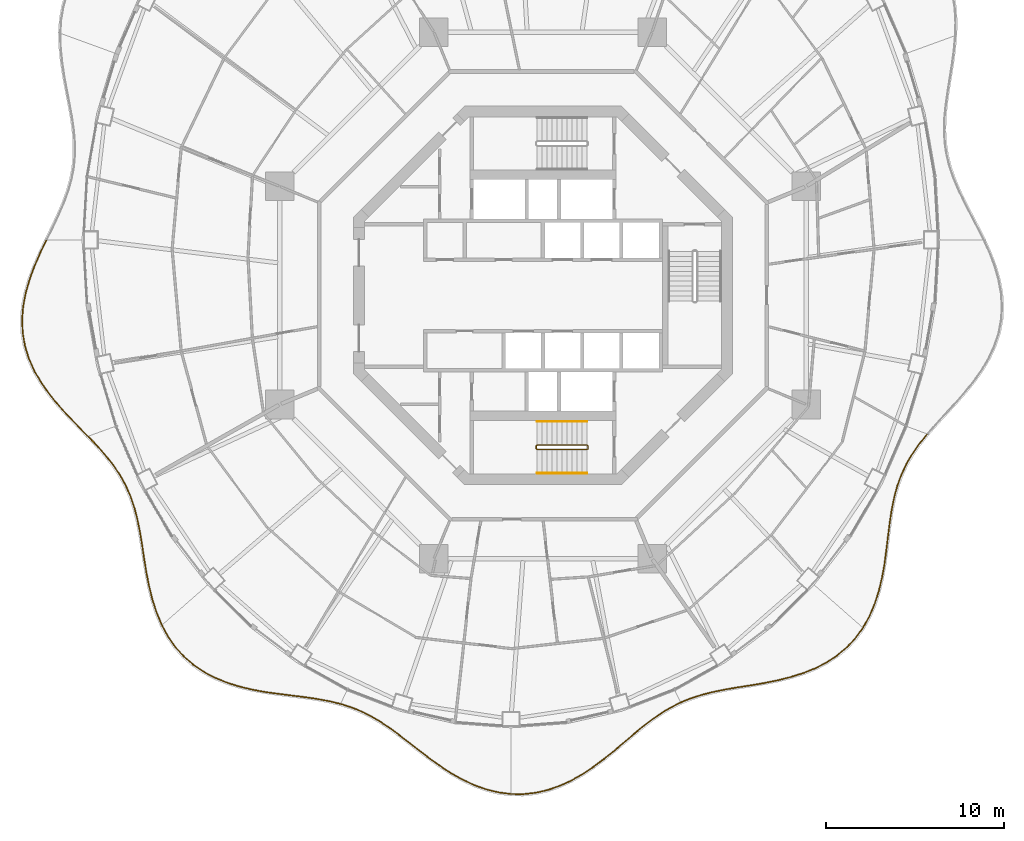
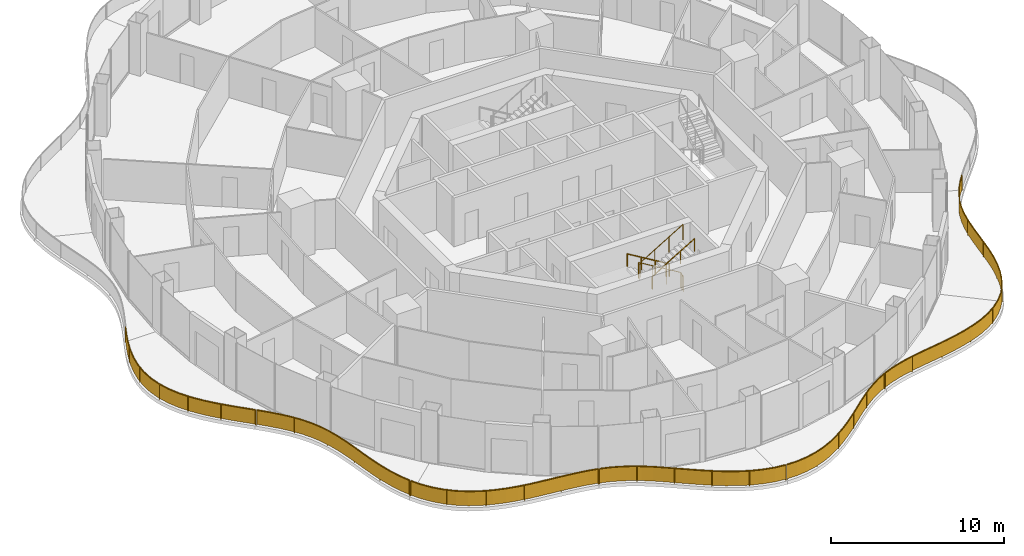
# One storey, part 16 of 18: 10 railings.
"""IFC4 building model written with IfcOpenShell, lengths in metres."""

from ifc_helpers import new_model, si_unit, direction, frame, origin, origin_2d, place, context, subcontext, project, spatial, polyline, rectangle, circle, outline, extrude, material, type_object, element, save


model = new_model("IFC4")

# Units and contexts
model_context = context("Model", 3, precision=1e-05, world=origin(), true_north=direction((0.0, 1.0)))
body_context = subcontext(model_context, "Body", "Model", "MODEL_VIEW")
ifc_project = project(units=[si_unit("LENGTHUNIT", "METRE"), si_unit("AREAUNIT", "SQUARE_METRE"), si_unit("VOLUMEUNIT", "CUBIC_METRE"), si_unit("PLANEANGLEUNIT", "RADIAN"), si_unit("MASSUNIT", "GRAM", prefix="KILO")], contexts=[model_context])

# Site, building, storey
site_placement = place(None, origin())
site = spatial("IfcSite", under=ifc_project, at=site_placement, CompositionType="ELEMENT")
building_placement = place(site_placement, origin())
building = spatial("IfcBuilding", under=site, at=building_placement, Name="Nagisa Residences", CompositionType="ELEMENT")
storey_placement = place(building_placement, frame((0.0, 0.0, 245.5)))
storey = spatial("IfcBuildingStorey", under=building, at=storey_placement, Name="L62", CompositionType="ELEMENT", Elevation=245.5)

# Railings
ifc_material_1 = material(Name="Stainless steel 316", Category="steel")
railing_type_1 = type_object("IfcRailingType", Name="BALCONY GUARD 1100", PredefinedType="BALUSTRADE", material=ifc_material_1)
railing_1_placement = place(storey_placement, frame((-27.882568359375, 3.08349609375, 0.0)))
element("IfcRailing", 1, at=railing_1_placement, inside=storey, type_object=railing_type_1, Name="guard:L62:bal08-0", PredefinedType="BALUSTRADE", context=body_context, shape_type="SweptSolid", body=[
    extrude(outline(polyline([(-0.3017578125, -0.690673828125), (0.022705078125, -0.0107421875), (-0.022705078125, 0.0107421875), (-0.34716796875, -0.669677734375), (-0.667236328125, -1.406494140625), (-0.946044921875, -2.156005859375), (-1.166748046875, -2.915283203125), (-1.313232421875, -3.679443359375), (-1.375732421875, -4.42919921875), (-1.343017578125, -5.185791015625), (-1.21337890625, -5.9296875), (-0.98828125, -6.654541015625), (-0.67333984375, -7.3564453125), (-0.2822265625, -8.018310546875), (0.17822265625, -8.66552734375), (0.687744140625, -9.285888671875), (1.229248046875, -9.881103515625), (1.783447265625, -10.456298828125), (2.302490234375, -10.98388671875), (2.338134765625, -10.94873046875), (1.819091796875, -10.421142578125), (1.265869140625, -9.846923828125), (0.725830078125, -9.253173828125), (0.2177734375, -8.63525390625), (-0.240234375, -7.990966796875), (-0.62890625, -7.33349609375), (-0.94140625, -6.636962890625), (-1.16455078125, -5.91796875), (-1.293212890625, -5.180419921875), (-1.325439453125, -4.43017578125), (-1.263427734375, -3.686279296875), (-1.117919921875, -2.927001953125), (-0.898681640625, -2.171630859375), (-0.620849609375, -1.425048828125), (-0.3017578125, -0.690673828125)])), frame((0.0, 0.0, 1.050048828125)), (0.0, 0.0, 1.0), 0.050048828125),
    extrude(outline(polyline([(-0.318115234375, -0.68310546875), (0.00634765625, -0.0029296875), (-0.00634765625, 0.0029296875), (-0.330810546875, -0.67724609375), (-0.650634765625, -1.4130859375), (-0.928955078125, -2.16162109375), (-1.149169921875, -2.91943359375), (-1.295166015625, -3.681884765625), (-1.357666015625, -4.429443359375), (-1.3251953125, -5.183837890625), (-1.19580078125, -5.925537109375), (-0.971435546875, -6.648193359375), (-0.657470703125, -7.34814453125), (-0.26708984375, -8.008544921875), (0.1923828125, -8.654541015625), (0.701416015625, -9.274169921875), (1.242431640625, -9.868896484375), (1.796142578125, -10.443603515625), (2.3154296875, -10.97119140625), (2.3251953125, -10.96142578125), (1.806396484375, -10.433837890625), (1.252685546875, -9.859130859375), (0.712158203125, -9.264892578125), (0.20361328125, -8.646240234375), (-0.25537109375, -8.000732421875), (-0.644775390625, -7.341796875), (-0.958251953125, -6.643310546875), (-1.18212890625, -5.922119140625), (-1.31103515625, -5.182373046875), (-1.343505859375, -4.429931640625), (-1.281494140625, -3.683837890625), (-1.135498046875, -2.9228515625), (-0.915771484375, -2.166015625), (-0.637451171875, -1.41845703125), (-0.318115234375, -0.68310546875)])), frame((0.0, 0.0, 0.06005859375)), (0.0, 0.0, 1.0), 0.989990234375),
    extrude(rectangle(XDim=0.0400390625, YDim=0.0400390625, at=origin_2d()), origin(), (0.0, 0.0, 1.0), 1.050048828125),
    extrude(rectangle(XDim=0.0400390625, YDim=0.0400390625, at=origin_2d()), frame((-0.822021484375, -1.894287109375, 0.0)), (0.0, 0.0, 1.0), 1.050048828125),
    extrude(rectangle(XDim=0.0400390625, YDim=0.0400390625, at=origin_2d()), frame((-1.30615234375, -3.896728515625, 0.0)), (0.0, 0.0, 1.0), 1.050048828125),
    extrude(rectangle(XDim=0.0400390625, YDim=0.0400390625, at=origin_2d()), frame((-1.181396484375, -5.947998046875, 0.0)), (0.0, 0.0, 1.0), 1.050048828125),
    extrude(rectangle(XDim=0.0400390625, YDim=0.0400390625, at=origin_2d()), frame((-0.361328125, -7.835205078125, 0.0)), (0.0, 0.0, 1.0), 1.050048828125),
    extrude(rectangle(XDim=0.0400390625, YDim=0.0400390625, at=origin_2d()), frame((0.89208984375, -9.473388671875, 0.0)), (0.0, 0.0, 1.0), 1.050048828125),
    extrude(rectangle(XDim=0.0400390625, YDim=0.0400390625, at=origin_2d()), frame((2.3203125, -10.96630859375, 0.0)), (0.0, 0.0, 1.0), 1.050048828125),
])
railing_2_placement = place(storey_placement, frame((-25.508544921875, -7.935546875, 0.0)))
element("IfcRailing", 2, at=railing_2_placement, inside=storey, type_object=railing_type_1, Name="guard:L62:bal09-0", PredefinedType="BALUSTRADE", context=body_context, shape_type="SweptSolid", body=[
    extrude(outline(polyline([(0.49951171875, -0.48681640625), (0.01806640625, 0.017333984375), (-0.01806640625, -0.017333984375), (0.462890625, -0.5205078125), (0.93798828125, -1.057373046875), (1.36865234375, -1.6025390625), (1.747314453125, -2.1630859375), (2.0703125, -2.74560546875), (2.332275390625, -3.34228515625), (2.55029296875, -3.98291015625), (2.724853515625, -4.656005859375), (2.866943359375, -5.3603515625), (2.9892578125, -6.09228515625), (3.09716796875, -6.83349609375), (3.22314453125, -7.60107421875), (3.37353515625, -8.3720703125), (3.56201171875, -9.13525390625), (3.80126953125, -9.87890625), (4.080322265625, -10.547119140625), (4.126708984375, -10.527587890625), (3.84814453125, -9.861328125), (3.6103515625, -9.12158203125), (3.42236328125, -8.361328125), (3.2724609375, -7.59228515625), (3.146484375, -6.82568359375), (3.03857421875, -6.08447265625), (2.916259765625, -5.35107421875), (2.773681640625, -4.644775390625), (2.59814453125, -3.96875), (2.379150390625, -3.32421875), (2.115234375, -2.72314453125), (1.789794921875, -2.13671875), (1.4091796875, -1.57275390625), (0.9765625, -1.025146484375), (0.49951171875, -0.48681640625)])), frame((0.0, 0.0, 1.050048828125)), (0.0, 0.0, 1.0), 0.050048828125),
    extrude(outline(polyline([(0.486328125, -0.4990234375), (0.005126953125, 0.0048828125), (-0.005126953125, -0.0048828125), (0.47607421875, -0.50830078125), (0.951904296875, -1.045654296875), (1.38330078125, -1.591796875), (1.7626953125, -2.153564453125), (2.08642578125, -2.737548828125), (2.34912109375, -3.335693359375), (2.567626953125, -3.977783203125), (2.742431640625, -4.65185546875), (2.884765625, -5.35693359375), (3.007080078125, -6.08935546875), (3.114990234375, -6.83056640625), (3.240966796875, -7.597900390625), (3.39111328125, -8.3681640625), (3.579345703125, -9.13037109375), (3.818115234375, -9.87255859375), (4.09716796875, -10.5400390625), (4.10986328125, -10.53466796875), (3.831298828125, -9.86767578125), (3.593017578125, -9.12646484375), (3.40478515625, -8.365234375), (3.254638671875, -7.595458984375), (3.128662109375, -6.82861328125), (3.020751953125, -6.08740234375), (2.8984375, -5.3544921875), (2.756103515625, -4.64892578125), (2.580810546875, -3.973876953125), (2.3623046875, -3.330810546875), (2.09912109375, -2.731201171875), (1.7744140625, -2.146240234375), (1.39453125, -1.58349609375), (0.962646484375, -1.036865234375), (0.486328125, -0.4990234375)])), frame((0.0, 0.0, 0.06005859375)), (0.0, 0.0, 1.0), 0.989990234375),
    extrude(rectangle(XDim=0.0400390625, YDim=0.0400390625, at=origin_2d()), origin(), (0.0, 0.0, 1.0), 1.050048828125),
    extrude(rectangle(XDim=0.0400390625, YDim=0.0400390625, at=origin_2d()), frame((1.5, -1.752197265625, 0.0)), (0.0, 0.0, 1.0), 1.050048828125),
    extrude(rectangle(XDim=0.0400390625, YDim=0.0400390625, at=origin_2d()), frame((2.51904296875, -3.8134765625, 0.0)), (0.0, 0.0, 1.0), 1.050048828125),
    extrude(rectangle(XDim=0.0400390625, YDim=0.0400390625, at=origin_2d()), frame((3.010498046875, -6.0673828125, 0.0)), (0.0, 0.0, 1.0), 1.050048828125),
    extrude(rectangle(XDim=0.0400390625, YDim=0.0400390625, at=origin_2d()), frame((3.3935546875, -8.344482421875, 0.0)), (0.0, 0.0, 1.0), 1.050048828125),
    extrude(rectangle(XDim=0.0400390625, YDim=0.0400390625, at=origin_2d()), frame((4.103515625, -10.537353515625, 0.0)), (0.0, 0.0, 1.0), 1.050048828125),
])
railing_3_placement = place(storey_placement, frame((-21.3720703125, -18.542724609375, 0.0)))
element("IfcRailing", 3, at=railing_3_placement, inside=storey, type_object=railing_type_1, Name="guard:L62:bal10-0", PredefinedType="BALUSTRADE", context=body_context, shape_type="SweptSolid", body=[
    extrude(outline(polyline([(0.34423828125, -0.582275390625), (0.02197265625, 0.011962890625), (-0.02197265625, -0.011962890625), (0.3017578125, -0.608642578125), (0.713623046875, -1.197265625), (1.18994140625, -1.72998046875), (1.72802734375, -2.200927734375), (2.322998046875, -2.607666015625), (2.955810546875, -2.93896484375), (3.640625, -3.218994140625), (4.3564453125, -3.44189453125), (5.091552734375, -3.615966796875), (5.8359375, -3.750732421875), (6.5654296875, -3.848876953125), (7.29833984375, -3.941162109375), (8.013916015625, -4.03125), (8.706787109375, -4.132080078125), (9.373779296875, -4.25537109375), (9.97216796875, -4.40087890625), (9.98388671875, -4.35205078125), (9.384033203125, -4.20654296875), (8.715087890625, -4.082763671875), (8.020751953125, -3.9814453125), (7.3046875, -3.891357421875), (6.57177734375, -3.799072265625), (5.84375, -3.701416015625), (5.101806640625, -3.567138671875), (4.36962890625, -3.3935546875), (3.65771484375, -3.171630859375), (2.976806640625, -2.8935546875), (2.348876953125, -2.564697265625), (1.7587890625, -2.161376953125), (1.22509765625, -1.6943359375), (0.752685546875, -1.166015625), (0.34423828125, -0.582275390625)])), frame((0.0, 0.0, 1.050048828125)), (0.0, 0.0, 1.0), 0.050048828125),
    extrude(outline(polyline([(0.328857421875, -0.591796875), (0.006103515625, 0.00341796875), (-0.006103515625, -0.00341796875), (0.317138671875, -0.59912109375), (0.7275390625, -1.18603515625), (1.20263671875, -1.717041015625), (1.739013671875, -2.186767578125), (2.332275390625, -2.59228515625), (2.96337890625, -2.922607421875), (3.646728515625, -3.201904296875), (4.361083984375, -3.424560546875), (5.09521484375, -3.598388671875), (5.8388671875, -3.73291015625), (6.567626953125, -3.830810546875), (7.300537109375, -3.923095703125), (8.016357421875, -4.01318359375), (8.709716796875, -4.1142578125), (9.37744140625, -4.23779296875), (9.976318359375, -4.38330078125), (9.979736328125, -4.36962890625), (9.38037109375, -4.22412109375), (8.712158203125, -4.1005859375), (8.018310546875, -3.99951171875), (7.302490234375, -3.909423828125), (6.569580078125, -3.817138671875), (5.8408203125, -3.71923828125), (5.09814453125, -3.584716796875), (4.364990234375, -3.410888671875), (3.651611328125, -3.188720703125), (2.96923828125, -2.909912109375), (2.339599609375, -2.580078125), (1.747802734375, -2.175537109375), (1.21240234375, -1.707275390625), (0.73876953125, -1.17724609375), (0.328857421875, -0.591796875)])), frame((0.0, 0.0, 0.06005859375)), (0.0, 0.0, 1.0), 0.989990234375),
    extrude(rectangle(XDim=0.0400390625, YDim=0.0400390625, at=origin_2d()), origin(), (0.0, 0.0, 1.0), 1.050048828125),
    extrude(rectangle(XDim=0.0400390625, YDim=0.0400390625, at=origin_2d()), frame((1.344482421875, -1.83203125, 0.0)), (0.0, 0.0, 1.0), 1.050048828125),
    extrude(rectangle(XDim=0.0400390625, YDim=0.0400390625, at=origin_2d()), frame((3.26904296875, -3.0400390625, 0.0)), (0.0, 0.0, 1.0), 1.050048828125),
    extrude(rectangle(XDim=0.0400390625, YDim=0.0400390625, at=origin_2d()), frame((5.465087890625, -3.658203125, 0.0)), (0.0, 0.0, 1.0), 1.050048828125),
    extrude(rectangle(XDim=0.0400390625, YDim=0.0400390625, at=origin_2d()), frame((7.729736328125, -3.97021484375, 0.0)), (0.0, 0.0, 1.0), 1.050048828125),
    extrude(rectangle(XDim=0.0400390625, YDim=0.0400390625, at=origin_2d()), frame((9.97802734375, -4.37646484375, 0.0)), (0.0, 0.0, 1.0), 1.050048828125),
])
railing_4_placement = place(storey_placement, frame((-11.326171875, -22.9365234375, 0.0)))
element("IfcRailing", 4, at=railing_4_placement, inside=storey, type_object=railing_type_1, Name="guard:L62:bal11-0", PredefinedType="BALUSTRADE", context=body_context, shape_type="SweptSolid", body=[
    extrude(outline(polyline([(0.56103515625, -0.152587890625), (0.007568359375, 0.02392578125), (-0.007568359375, -0.02392578125), (0.5439453125, -0.199462890625), (1.114990234375, -0.43115234375), (1.669189453125, -0.70751953125), (2.212158203125, -1.02783203125), (2.75, -1.388916015625), (3.272216796875, -1.779541015625), (3.818359375, -2.20068359375), (4.377197265625, -2.636474609375), (4.953369140625, -3.074462890625), (5.5498046875, -3.50048828125), (6.151611328125, -3.8984375), (6.792236328125, -4.259033203125), (7.454833984375, -4.5673828125), (8.13525390625, -4.811279296875), (8.829833984375, -4.982177734375), (9.484619140625, -5.067138671875), (9.490966796875, -5.017333984375), (8.839111328125, -4.932861328125), (8.14990234375, -4.763427734375), (7.473876953125, -4.52099609375), (6.815185546875, -4.214599609375), (6.177490234375, -3.85546875), (5.578125, -3.45947265625), (4.983154296875, -3.033935546875), (4.407958984375, -2.596923828125), (3.84912109375, -2.1611328125), (3.302490234375, -1.739501953125), (2.77880859375, -1.347900390625), (2.239013671875, -0.9853515625), (1.693115234375, -0.66357421875), (1.135498046875, -0.3857421875), (0.56103515625, -0.152587890625)])), frame((0.0, 0.0, 1.050048828125)), (0.0, 0.0, 1.0), 0.050048828125),
    extrude(outline(polyline([(0.554931640625, -0.16943359375), (0.002197265625, 0.006591796875), (-0.002197265625, -0.006591796875), (0.550048828125, -0.1826171875), (1.122314453125, -0.414794921875), (1.677734375, -0.691650390625), (2.221923828125, -1.012451171875), (2.76025390625, -1.3740234375), (3.283203125, -1.76513671875), (3.829345703125, -2.1865234375), (4.388427734375, -2.622314453125), (4.964111328125, -3.059814453125), (5.56005859375, -3.48583984375), (6.160888671875, -3.8828125), (6.800537109375, -4.2431640625), (7.461669921875, -4.55078125), (8.140625, -4.7939453125), (8.833251953125, -4.96435546875), (9.48681640625, -5.049072265625), (9.48876953125, -5.035400390625), (8.835693359375, -4.95068359375), (8.14453125, -4.78076171875), (7.467041015625, -4.53759765625), (6.806884765625, -4.23046875), (6.168212890625, -3.87109375), (5.56787109375, -3.47412109375), (4.972412109375, -3.048583984375), (4.396728515625, -2.611083984375), (3.838134765625, -2.17529296875), (3.29150390625, -1.75390625), (2.7685546875, -1.36279296875), (2.229248046875, -1.000732421875), (1.6845703125, -0.679443359375), (1.128173828125, -0.402099609375), (0.554931640625, -0.16943359375)])), frame((0.0, 0.0, 0.06005859375)), (0.0, 0.0, 1.0), 0.989990234375),
    extrude(rectangle(XDim=0.0400390625, YDim=0.0400390625, at=origin_2d()), origin(), (0.0, 0.0, 1.0), 1.050048828125),
    extrude(rectangle(XDim=0.0400390625, YDim=0.0400390625, at=origin_2d()), frame((1.98876953125, -0.866943359375, 0.0)), (0.0, 0.0, 1.0), 1.050048828125),
    extrude(rectangle(XDim=0.0400390625, YDim=0.0400390625, at=origin_2d()), frame((3.761962890625, -2.12548828125, 0.0)), (0.0, 0.0, 1.0), 1.050048828125),
    extrude(rectangle(XDim=0.0400390625, YDim=0.0400390625, at=origin_2d()), frame((5.5, -3.434326171875, 0.0)), (0.0, 0.0, 1.0), 1.050048828125),
    extrude(rectangle(XDim=0.0400390625, YDim=0.0400390625, at=origin_2d()), frame((7.387939453125, -4.508544921875, 0.0)), (0.0, 0.0, 1.0), 1.050048828125),
    extrude(rectangle(XDim=0.0400390625, YDim=0.0400390625, at=origin_2d()), frame((9.48779296875, -5.042236328125, 0.0)), (0.0, 0.0, 1.0), 1.050048828125),
])
railing_5_placement = place(storey_placement, frame((-1.76123046875, -27.984130859375, 0.0)))
element("IfcRailing", 5, at=railing_5_placement, inside=storey, type_object=railing_type_1, Name="guard:L62:bal12-0", PredefinedType="BALUSTRADE", context=body_context, shape_type="SweptSolid", body=[
    extrude(outline(polyline([(0.654296875, 0.0185546875), (0.000244140625, 0.02490234375), (-0.000244140625, -0.02490234375), (0.65673828125, -0.03173828125), (1.359619140625, 0.046142578125), (2.052978515625, 0.2060546875), (2.73193359375, 0.44287109375), (3.389892578125, 0.74755859375), (4.01123046875, 1.107666015625), (4.62451171875, 1.515625), (5.2138671875, 1.95556640625), (5.781005859375, 2.413330078125), (6.329345703125, 2.875), (6.845703125, 3.322509765625), (7.369873046875, 3.754150390625), (7.89111328125, 4.155517578125), (8.416259765625, 4.51904296875), (8.951171875, 4.83984375), (9.464599609375, 5.09765625), (9.442138671875, 5.142578125), (8.92724609375, 4.8837890625), (8.388916015625, 4.56103515625), (7.86181640625, 4.196044921875), (7.338623046875, 3.793212890625), (6.8134765625, 3.360595703125), (6.296630859375, 2.9130859375), (5.749267578125, 2.451904296875), (5.18310546875, 1.9951171875), (4.595703125, 1.556640625), (3.98486328125, 1.150146484375), (3.366943359375, 0.7919921875), (2.712890625, 0.4892578125), (2.039306640625, 0.25439453125), (1.351318359375, 0.095458984375), (0.654296875, 0.0185546875)])), frame((0.0, 0.0, 1.050048828125)), (0.0, 0.0, 1.0), 0.050048828125),
    extrude(outline(polyline([(0.6552734375, 0.00048828125), (0.0, 0.007080078125), (0.0, -0.007080078125), (0.65576171875, -0.013671875), (1.356689453125, 0.06396484375), (2.048095703125, 0.223388671875), (2.72509765625, 0.45947265625), (3.381591796875, 0.763671875), (4.001708984375, 1.123046875), (4.6142578125, 1.530517578125), (5.202880859375, 1.9697265625), (5.76953125, 2.42724609375), (6.317626953125, 2.888671875), (6.834228515625, 3.336181640625), (7.358642578125, 3.768310546875), (7.880615234375, 4.170166015625), (8.406494140625, 4.5341796875), (8.942626953125, 4.855712890625), (9.45654296875, 5.11376953125), (9.4501953125, 5.12646484375), (8.935791015625, 4.867919921875), (8.398681640625, 4.5458984375), (7.872314453125, 4.181396484375), (7.349853515625, 3.779052734375), (6.824951171875, 3.346923828125), (6.308349609375, 2.8994140625), (5.7607421875, 2.43798828125), (5.194091796875, 1.98095703125), (4.60595703125, 1.541748046875), (3.994384765625, 1.134765625), (3.375244140625, 0.77587890625), (2.7197265625, 0.47265625), (2.044189453125, 0.237060546875), (1.354248046875, 0.07763671875), (0.6552734375, 0.00048828125)])), frame((0.0, 0.0, 0.06005859375)), (0.0, 0.0, 1.0), 0.989990234375),
    extrude(rectangle(XDim=0.0400390625, YDim=0.0400390625, at=origin_2d()), origin(), (0.0, 0.0, 1.0), 1.050048828125),
    extrude(rectangle(XDim=0.0400390625, YDim=0.0400390625, at=origin_2d()), frame((2.17041015625, 0.2734375, 0.0)), (0.0, 0.0, 1.0), 1.050048828125),
    extrude(rectangle(XDim=0.0400390625, YDim=0.0400390625, at=origin_2d()), frame((4.14501953125, 1.2265625, 0.0)), (0.0, 0.0, 1.0), 1.050048828125),
    extrude(rectangle(XDim=0.0400390625, YDim=0.0400390625, at=origin_2d()), frame((5.902099609375, 2.548095703125, 0.0)), (0.0, 0.0, 1.0), 1.050048828125),
    extrude(rectangle(XDim=0.0400390625, YDim=0.0400390625, at=origin_2d()), frame((7.591796875, 3.95654296875, 0.0)), (0.0, 0.0, 1.0), 1.050048828125),
    extrude(rectangle(XDim=0.0400390625, YDim=0.0400390625, at=origin_2d()), frame((9.453369140625, 5.1201171875, 0.0)), (0.0, 0.0, 1.0), 1.050048828125),
])
railing_6_placement = place(storey_placement, frame((7.754638671875, -22.835693359375, 0.0)))
element("IfcRailing", 6, at=railing_6_placement, inside=storey, type_object=railing_type_1, Name="guard:L62:bal13-0", PredefinedType="BALUSTRADE", context=body_context, shape_type="SweptSolid", body=[
    extrude(outline(polyline([(0.54736328125, 0.248779296875), (-0.009521484375, 0.023193359375), (0.009521484375, -0.023193359375), (0.564453125, 0.201904296875), (1.184326171875, 0.400390625), (1.83251953125, 0.563232421875), (2.508544921875, 0.69921875), (3.20947265625, 0.81982421875), (3.917236328125, 0.927734375), (4.652099609375, 1.053955078125), (5.39111328125, 1.2021484375), (6.125, 1.384033203125), (6.842041015625, 1.609619140625), (7.51953125, 1.876953125), (8.17138671875, 2.213134765625), (8.775146484375, 2.611328125), (9.3232421875, 3.072265625), (9.80908203125, 3.59375), (10.200927734375, 4.133544921875), (10.160400390625, 4.162841796875), (9.7705078125, 3.62548828125), (9.28857421875, 3.1083984375), (8.745361328125, 2.6513671875), (8.14599609375, 2.256591796875), (7.4990234375, 1.92236328125), (6.825439453125, 1.656982421875), (6.111328125, 1.432373046875), (5.38037109375, 1.2509765625), (4.642822265625, 1.103271484375), (3.909423828125, 0.97705078125), (3.20166015625, 0.869140625), (2.499267578125, 0.74853515625), (1.8212890625, 0.612060546875), (1.170654296875, 0.44873046875), (0.54736328125, 0.248779296875)])), frame((0.0, 0.0, 1.050048828125)), (0.0, 0.0, 1.0), 0.050048828125),
    extrude(outline(polyline([(0.553466796875, 0.23193359375), (-0.002685546875, 0.006591796875), (0.002685546875, -0.006591796875), (0.558349609375, 0.21875), (1.179443359375, 0.417724609375), (1.828369140625, 0.580810546875), (2.505126953125, 0.717041015625), (3.206787109375, 0.837646484375), (3.91455078125, 0.945556640625), (4.648681640625, 1.07177734375), (5.38720703125, 1.2197265625), (6.1201171875, 1.4013671875), (6.836181640625, 1.626708984375), (7.51220703125, 1.893310546875), (8.162353515625, 2.228759765625), (8.764404296875, 2.625732421875), (9.310791015625, 3.085205078125), (9.795166015625, 3.605224609375), (10.186279296875, 4.14404296875), (10.175048828125, 4.15234375), (9.784423828125, 3.614013671875), (9.301025390625, 3.095458984375), (8.756103515625, 2.636962890625), (8.155029296875, 2.240966796875), (7.50634765625, 1.906005859375), (6.831298828125, 1.639892578125), (6.1162109375, 1.4150390625), (5.38427734375, 1.2333984375), (4.646240234375, 1.08544921875), (3.912109375, 0.959228515625), (3.204345703125, 0.851318359375), (2.502685546875, 0.730712890625), (1.825439453125, 0.594482421875), (1.175537109375, 0.431396484375), (0.553466796875, 0.23193359375)])), frame((0.0, 0.0, 0.06005859375)), (0.0, 0.0, 1.0), 0.989990234375),
    extrude(rectangle(XDim=0.0400390625, YDim=0.0400390625, at=origin_2d()), origin(), (0.0, 0.0, 1.0), 1.050048828125),
    extrude(rectangle(XDim=0.0400390625, YDim=0.0400390625, at=origin_2d()), frame((2.159912109375, 0.654541015625, 0.0)), (0.0, 0.0, 1.0), 1.050048828125),
    extrude(rectangle(XDim=0.0400390625, YDim=0.0400390625, at=origin_2d()), frame((4.389404296875, 1.0341796875, 0.0)), (0.0, 0.0, 1.0), 1.050048828125),
    extrude(rectangle(XDim=0.0400390625, YDim=0.0400390625, at=origin_2d()), frame((6.587646484375, 1.555908203125, 0.0)), (0.0, 0.0, 1.0), 1.050048828125),
    extrude(rectangle(XDim=0.0400390625, YDim=0.0400390625, at=origin_2d()), frame((8.615478515625, 2.535888671875, 0.0)), (0.0, 0.0, 1.0), 1.050048828125),
    extrude(rectangle(XDim=0.0400390625, YDim=0.0400390625, at=origin_2d()), frame((10.1806640625, 4.148193359375, 0.0)), (0.0, 0.0, 1.0), 1.050048828125),
])
railing_7_placement = place(storey_placement, frame((17.976806640625, -18.6220703125, 0.0)))
element("IfcRailing", 7, at=railing_7_placement, inside=storey, type_object=railing_type_1, Name="guard:L62:bal14-0", PredefinedType="BALUSTRADE", context=body_context, shape_type="SweptSolid", body=[
    extrude(outline(polyline([(0.322509765625, 0.628662109375), (-0.021728515625, 0.01220703125), (0.021728515625, -0.01220703125), (0.367431640625, 0.606689453125), (0.66748046875, 1.31201171875), (0.9033203125, 2.05224609375), (1.083984375, 2.814697265625), (1.221435546875, 3.588623046875), (1.32080078125, 4.349609375), (1.413818359375, 5.112548828125), (1.5078125, 5.857177734375), (1.616943359375, 6.576171875), (1.755615234375, 7.266357421875), (1.92822265625, 7.912109375), (2.15673828125, 8.541015625), (2.439697265625, 9.142333984375), (2.77880859375, 9.721435546875), (3.1728515625, 10.28369140625), (3.5888671875, 10.80224609375), (3.5498046875, 10.83349609375), (3.1328125, 10.31396484375), (2.73681640625, 9.748291015625), (2.395263671875, 9.165771484375), (2.1103515625, 8.56005859375), (1.88037109375, 7.92724609375), (1.706787109375, 7.277587890625), (1.567626953125, 6.5849609375), (1.4580078125, 5.864013671875), (1.364013671875, 5.118896484375), (1.27099609375, 4.35595703125), (1.172119140625, 3.596435546875), (1.03515625, 2.824951171875), (0.85498046875, 2.0654296875), (0.62060546875, 1.32958984375), (0.322509765625, 0.628662109375)])), frame((0.0, 0.0, 1.050048828125)), (0.0, 0.0, 1.0), 0.050048828125),
    extrude(outline(polyline([(0.338623046875, 0.620849609375), (-0.006103515625, 0.00341796875), (0.006103515625, -0.00341796875), (0.351318359375, 0.614501953125), (0.650634765625, 1.318359375), (0.885986328125, 2.056884765625), (1.06640625, 2.818359375), (1.20361328125, 3.591552734375), (1.302734375, 4.351806640625), (1.395751953125, 5.11474609375), (1.48974609375, 5.859619140625), (1.59912109375, 6.579345703125), (1.738037109375, 7.270263671875), (1.910888671875, 7.91748046875), (2.14013671875, 8.5478515625), (2.423583984375, 9.15087890625), (2.763671875, 9.731201171875), (3.158447265625, 10.294677734375), (3.57470703125, 10.8134765625), (3.56396484375, 10.822265625), (3.147216796875, 10.302978515625), (2.751953125, 9.738525390625), (2.411376953125, 9.1572265625), (2.126953125, 8.55322265625), (1.897705078125, 7.921875), (1.724365234375, 7.273681640625), (1.58544921875, 6.581787109375), (1.47607421875, 5.861572265625), (1.382080078125, 5.11669921875), (1.2890625, 4.353759765625), (1.18994140625, 3.593505859375), (1.052734375, 2.8212890625), (0.872314453125, 2.060791015625), (0.637451171875, 1.3232421875), (0.338623046875, 0.620849609375)])), frame((0.0, 0.0, 0.06005859375)), (0.0, 0.0, 1.0), 0.989990234375),
    extrude(rectangle(XDim=0.0400390625, YDim=0.0400390625, at=origin_2d()), origin(), (0.0, 0.0, 1.0), 1.050048828125),
    extrude(rectangle(XDim=0.0400390625, YDim=0.0400390625, at=origin_2d()), frame((0.894775390625, 2.12451171875, 0.0)), (0.0, 0.0, 1.0), 1.050048828125),
    extrude(rectangle(XDim=0.0400390625, YDim=0.0400390625, at=origin_2d()), frame((1.3017578125, 4.400146484375, 0.0)), (0.0, 0.0, 1.0), 1.050048828125),
    extrude(rectangle(XDim=0.0400390625, YDim=0.0400390625, at=origin_2d()), frame((1.61474609375, 6.692138671875, 0.0)), (0.0, 0.0, 1.0), 1.050048828125),
    extrude(rectangle(XDim=0.0400390625, YDim=0.0400390625, at=origin_2d()), frame((2.295654296875, 8.894775390625, 0.0)), (0.0, 0.0, 1.0), 1.050048828125),
    extrude(rectangle(XDim=0.0400390625, YDim=0.0400390625, at=origin_2d()), frame((3.5693359375, 10.81787109375, 0.0)), (0.0, 0.0, 1.0), 1.050048828125),
])
ifc_material_2 = material(Name="Stainless steel", Category="steel")
railing_type_2 = type_object("IfcRailingType", Name="Stair guard 1100", PredefinedType="GUARDRAIL", material=ifc_material_2)
railing_8_placement = place(storey_placement, frame((2.52490234375, -8.599609375, 0.0)))
element("IfcRailing", 8, at=railing_8_placement, inside=storey, type_object=railing_type_2, Name="L62 ST-S stair guard 1", PredefinedType="GUARDRAIL", context=body_context, shape_type="SweptSolid", body=[
    extrude(circle(Radius=0.02392578125, at=origin_2d()), frame((0.0, 0.0, 1.076171875), z_axis=(0.0, 1.0, 0.0), x_axis=(-1.0, 0.0, 0.0)), (0.0, 0.0, 1.0), 0.14990234375),
    extrude(circle(Radius=0.02392578125, at=origin_2d()), frame((0.0, 0.14990234375, 1.076171875), z_axis=(-0.273006030465, 0.27434429532, 0.922064485248), x_axis=(-0.708833529934, -0.705375805398, 0.0)), (0.0, 0.0, 1.0), 0.182373046875),
    extrude(circle(Radius=0.02392578125, at=origin_2d()), frame((-0.0498046875, 0.199951171875, 1.244140625), z_axis=(-0.857242210791, 0.0, 0.514913383045), x_axis=(0.0, -1.0, 0.0)), (0.0, 0.0, 1.0), 3.266357421875),
    extrude(circle(Radius=0.02392578125, at=origin_2d()), frame((-2.849853515625, 0.199951171875, 2.92626953125), z_axis=(-0.707106781187, -0.707106781187, 0.0), x_axis=(0.707106781187, -0.707106781187, 0.0)), (0.0, 0.0, 1.0), 0.07080078125),
    extrude(circle(Radius=0.02392578125, at=origin_2d()), frame((-2.89990234375, 0.14990234375, 2.92626953125), z_axis=(0.0, -1.0, 0.0), x_axis=(1.0, 0.0, 0.0)), (0.0, 0.0, 1.0), 0.14990234375),
    extrude(circle(Radius=0.02392578125, at=origin_2d()), frame((-2.89990234375, 0.0, 2.92626953125), z_axis=(0.274582412415, -0.274582412415, 0.921525364591), x_axis=(0.707106781187, 0.707106781187, 0.0)), (0.0, 0.0, 1.0), 0.182373046875),
    extrude(circle(Radius=0.02392578125, at=origin_2d()), frame((-2.849853515625, -0.050048828125, 3.09423828125), z_axis=(0.857242210791, 0.0, 0.514913383045), x_axis=(0.0, 1.0, 0.0)), (0.0, 0.0, 1.0), 3.266357421875),
    extrude(circle(Radius=0.02099609375, at=origin_2d()), origin(), (0.0, 0.0, 1.0), 1.052001953125),
    extrude(circle(Radius=0.02099609375, at=origin_2d()), frame((0.0, 0.14990234375, 0.0)), (0.0, 0.0, 1.0), 1.052001953125),
    extrude(circle(Radius=0.02099609375, at=origin_2d()), frame((-0.0498046875, 0.199951171875, 0.168212890625)), (0.0, 0.0, 1.0), 1.052001953125),
    extrude(circle(Radius=0.02099609375, at=origin_2d()), frame((-0.983154296875, 0.199951171875, 0.728759765625)), (0.0, 0.0, 1.0), 1.052001953125),
    extrude(circle(Radius=0.02099609375, at=origin_2d()), frame((-1.91650390625, 0.199951171875, 1.28955078125)), (0.0, 0.0, 1.0), 1.052001953125),
    extrude(circle(Radius=0.02099609375, at=origin_2d()), frame((-2.849853515625, 0.199951171875, 1.85009765625)), (0.0, 0.0, 1.0), 1.052001953125),
    extrude(circle(Radius=0.02099609375, at=origin_2d()), frame((-2.89990234375, 0.14990234375, 1.85009765625)), (0.0, 0.0, 1.0), 1.052001953125),
    extrude(circle(Radius=0.02099609375, at=origin_2d()), frame((-2.89990234375, 0.0, 1.85009765625)), (0.0, 0.0, 1.0), 1.052001953125),
    extrude(circle(Radius=0.02099609375, at=origin_2d()), frame((-2.849853515625, -0.050048828125, 2.01806640625)), (0.0, 0.0, 1.0), 1.052001953125),
    extrude(circle(Radius=0.02099609375, at=origin_2d()), frame((-1.91650390625, -0.050048828125, 2.57861328125)), (0.0, 0.0, 1.0), 1.052001953125),
    extrude(circle(Radius=0.02099609375, at=origin_2d()), frame((-0.983154296875, -0.050048828125, 3.139404296875)), (0.0, 0.0, 1.0), 1.052001953125),
    extrude(circle(Radius=0.02099609375, at=origin_2d()), frame((-0.0498046875, -0.050048828125, 3.699951171875)), (0.0, 0.0, 1.0), 1.052001953125),
])
ifc_material_3 = material(Name="Stainless steel", Category="steel")
railing_type_3 = type_object("IfcRailingType", Name="Stair handrail 900", PredefinedType="HANDRAIL", material=ifc_material_3)
railing_9_placement = place(storey_placement, frame((2.47509765625, -7.07470703125, 0.168212890625)))
element("IfcRailing", 9, at=railing_9_placement, inside=storey, type_object=railing_type_3, Name="L62 ST-S stair handrail 1", PredefinedType="HANDRAIL", context=body_context, shape_type="SweptSolid", body=[
    extrude(circle(Radius=0.02392578125, at=origin_2d()), frame((0.0, 0.0, 0.8759765625), z_axis=(-0.857242210791, 0.0, 0.514913383045), x_axis=(0.0, -1.0, 0.0)), (0.0, 0.0, 1.0), 3.266357421875),
    extrude(circle(Radius=0.02099609375, at=origin_2d()), origin(), (0.0, 0.0, 1.0), 0.851806640625),
    extrude(circle(Radius=0.02099609375, at=origin_2d()), frame((-0.933349609375, 0.0, 0.560546875)), (0.0, 0.0, 1.0), 0.851806640625),
    extrude(circle(Radius=0.02099609375, at=origin_2d()), frame((-1.86669921875, 0.0, 1.121337890625)), (0.0, 0.0, 1.0), 0.851806640625),
    extrude(circle(Radius=0.02099609375, at=origin_2d()), frame((-2.800048828125, 0.0, 1.681884765625)), (0.0, 0.0, 1.0), 0.851806640625),
])
railing_10_placement = place(storey_placement, frame((-0.324951171875, -9.974609375, 2.01806640625)))
element("IfcRailing", 10, at=railing_10_placement, inside=storey, type_object=railing_type_3, Name="L62 ST-S stair handrail 2", PredefinedType="HANDRAIL", context=body_context, shape_type="SweptSolid", body=[
    extrude(circle(Radius=0.02392578125, at=origin_2d()), frame((0.0, 0.0, 0.8759765625), z_axis=(0.857242210791, 0.0, 0.514913383045), x_axis=(0.0, 1.0, 0.0)), (0.0, 0.0, 1.0), 3.266357421875),
    extrude(circle(Radius=0.02099609375, at=origin_2d()), origin(), (0.0, 0.0, 1.0), 0.851806640625),
    extrude(circle(Radius=0.02099609375, at=origin_2d()), frame((0.933349609375, 0.0, 0.560546875)), (0.0, 0.0, 1.0), 0.851806640625),
    extrude(circle(Radius=0.02099609375, at=origin_2d()), frame((1.86669921875, 0.0, 1.121337890625)), (0.0, 0.0, 1.0), 0.851806640625),
    extrude(circle(Radius=0.02099609375, at=origin_2d()), frame((2.800048828125, 0.0, 1.681884765625)), (0.0, 0.0, 1.0), 0.851806640625),
])

save(model, "model.ifc")
